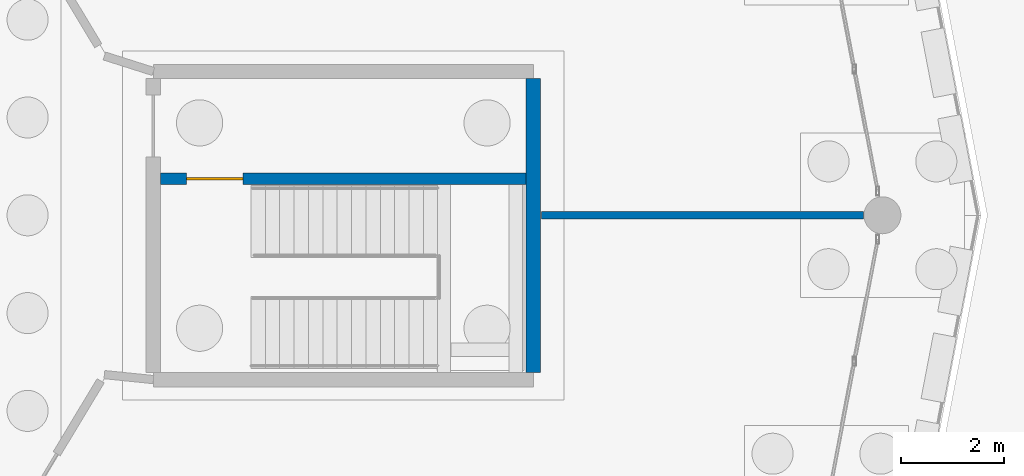
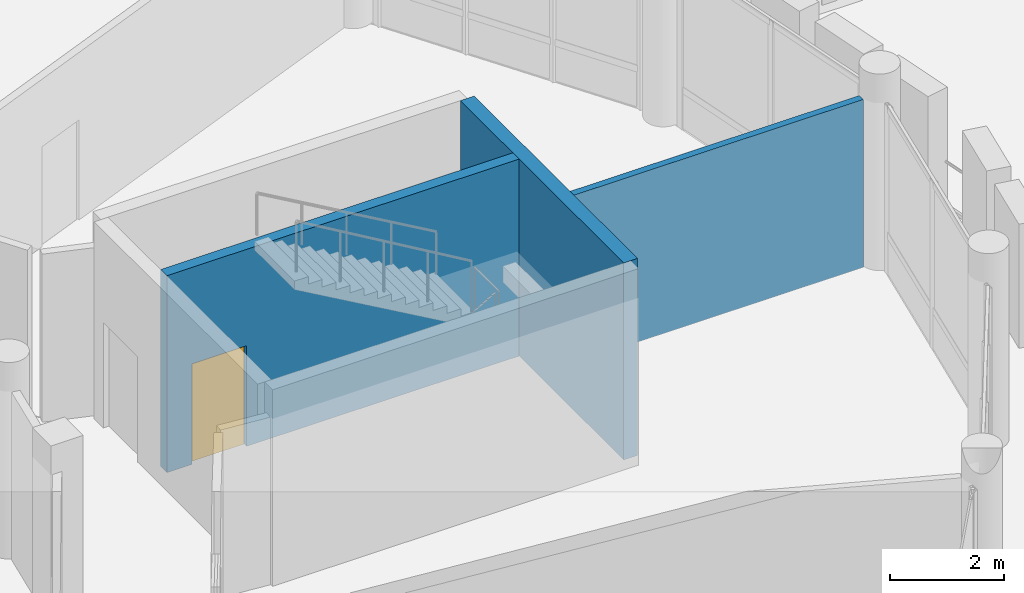
# One storey, part 78 of 98: 3 walls, 1 door, 1 opening.
"""IFC4 building model written with IfcOpenShell, lengths in metres."""

from ifc_helpers import new_model, si_unit, direction, frame, frame_2d, origin, place, context, subcontext, project, spatial, rectangle, extrude, material, layer, layer_set, type_object, element, fill, save


model = new_model("IFC4")

# Units and contexts
model_context = context("Model", 3, precision=1e-05, world=origin(), true_north=direction((0.0, 1.0)))
body_context = subcontext(model_context, "Body", "Model", "MODEL_VIEW")
ifc_project = project(units=[si_unit("LENGTHUNIT", "METRE"), si_unit("AREAUNIT", "SQUARE_METRE"), si_unit("VOLUMEUNIT", "CUBIC_METRE"), si_unit("PLANEANGLEUNIT", "RADIAN"), si_unit("MASSUNIT", "GRAM", prefix="KILO")], contexts=[model_context])

# Site, building, storey
site_placement = place(None, origin())
site = spatial("IfcSite", under=ifc_project, at=site_placement, CompositionType="ELEMENT")
building_placement = place(site_placement, origin())
building = spatial("IfcBuilding", under=site, at=building_placement, Name="Zornivar Specialist Clinic", CompositionType="ELEMENT")
storey_placement = place(building_placement, origin())
storey = spatial("IfcBuildingStorey", under=building, at=storey_placement, Name="L00", CompositionType="ELEMENT", Elevation=0.0)

# Walls
ifc_material_1 = material(Name="Acoustic Clinical Stud Partition")
ifc_layer_1 = layer(ifc_material_1, 0.139892578125)
ifc_layer_set_1 = layer_set([ifc_layer_1], Name="Acoustic Clinical Stud Partition")
wall_type_1 = type_object("IfcWallType", Name="IW-CLIN-140", PredefinedType="PARTITIONING", material=ifc_layer_set_1)
wall_1_placement = place(storey_placement, frame((125.22998046875, 57.60009765625, 0.0), z_axis=(0.0, 0.0, 1.0), x_axis=(-1.0, 0.0, 0.0)))
element("IfcWall", 1, at=wall_1_placement, inside=storey, type_object=wall_type_1, Name="iw:L00:027", PredefinedType="PARTITIONING", context=body_context, shape_type="SweptSolid", body=[
    extrude(rectangle(XDim=6.27490234375, YDim=0.139892578125, at=frame_2d((3.137451171875, 0.0))), origin(), (0.0, 0.0, 1.0), 3.590087890625),
])
ifc_material_2 = material(Name="Concrete C35/45", Category="concrete")
ifc_layer_2 = layer(ifc_material_2, 0.280029296875)
ifc_layer_set_2 = layer_set([ifc_layer_2], Name="Concrete C35/45")
wall_type_2 = type_object("IfcWallType", Name="SW-CORE-280", PredefinedType="SHEAR", material=ifc_layer_set_2)
wall_2_placement = place(storey_placement, frame((118.800048828125, 54.5400390625, 0.0), z_axis=(0.0, 0.0, 1.0), x_axis=(0.0, 1.0, 0.0)))
element("IfcWall", 2, at=wall_2_placement, inside=storey, type_object=wall_type_2, Name="sw:C4:L00:w1", PredefinedType="SHEAR", context=body_context, shape_type="SweptSolid", body=[
    extrude(rectangle(XDim=5.719970703125, YDim=0.280029296875, at=frame_2d((2.85986328125, 0.0))), origin(), (0.0, 0.0, 1.0), 4.2099609375),
])

# Wall, opening, door
ifc_material_3 = material(Name="Concrete C30/37", Category="concrete")
ifc_layer_3 = layer(ifc_material_3, 0.219970703125)
ifc_layer_set_3 = layer_set([ifc_layer_3], Name="Concrete C30/37")
wall_type_3 = type_object("IfcWallType", Name="SW-SHAFT-220", PredefinedType="SHEAR", material=ifc_layer_set_3)
wall_3_placement = place(storey_placement, frame((111.5400390625, 58.31005859375, 0.0), z_axis=(0.0, 0.0, 1.0), x_axis=(1.0, 0.0, 0.0)))
wall_3 = element("IfcWall", 3, at=wall_3_placement, inside=storey, type_object=wall_type_3, Name="sw:C4:L00:stwall", PredefinedType="SHEAR", context=body_context, shape_type="SweptSolid", body=[
    extrude(rectangle(XDim=7.119873046875, YDim=0.219970703125, at=frame_2d((3.56005859375, 0.0))), origin(), (0.0, 0.0, 1.0), 4.2099609375),
])
opening_placement = place(wall_3_placement, frame((0.510009765625, 0.0, 0.0)))
opening = element("IfcOpeningElement", 4, at=opening_placement, cuts=wall_3, Name="Opening FD-02", PredefinedType="OPENING", context=body_context, shape_type="SweptSolid", body=[
    extrude(rectangle(XDim=1.10009765625, YDim=2.14990234375, at=frame_2d((0.550048828125, 1.074951171875))), frame((0.0, 0.119873046875, 0.0), z_axis=(0.0, -1.0, 0.0), x_axis=(1.0, 0.0, 0.0)), (0.0, 0.0, 1.0), 0.239990234375),
])
ifc_material_4 = material(Name="Solid-Core Hygienic Laminate Timber Door", Category="wood")
door_type = type_object("IfcDoorType", Name="FD-STAIR-1100x2150", OperationType="NOTDEFINED", PredefinedType="DOOR", material=ifc_material_4)
door_placement = place(opening_placement, origin())
door = element("IfcDoor", 5, at=door_placement, inside=storey, type_object=door_type, Name="door:C4:L00:stair", OperationType="SINGLE_SWING_LEFT", OverallHeight=2.14990234375, OverallWidth=1.10009765625, PredefinedType="DOOR", context=body_context, shape_type="SweptSolid", body=[
    extrude(rectangle(XDim=1.10009765625, YDim=2.14990234375, at=frame_2d((0.550048828125, 1.074951171875))), frame((0.0, 0.02490234375, 0.0), z_axis=(0.0, -1.0, 0.0), x_axis=(1.0, 0.0, 0.0)), (0.0, 0.0, 1.0), 0.050048828125),
])
fill(opening, door)

save(model, "model.ifc")
